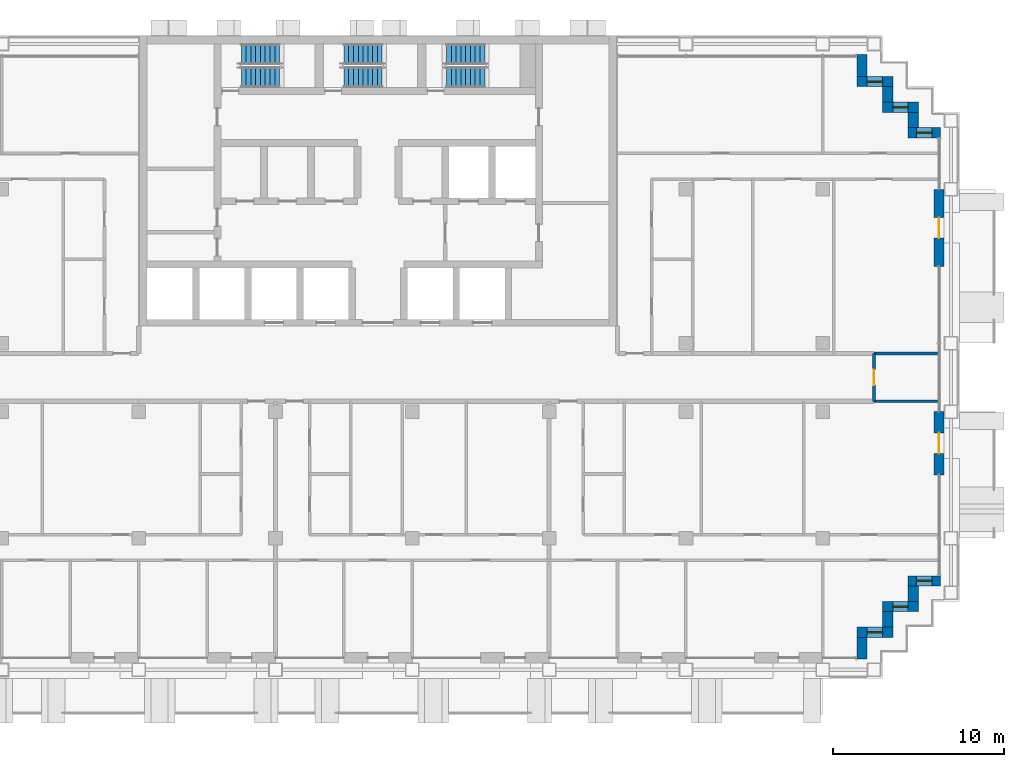
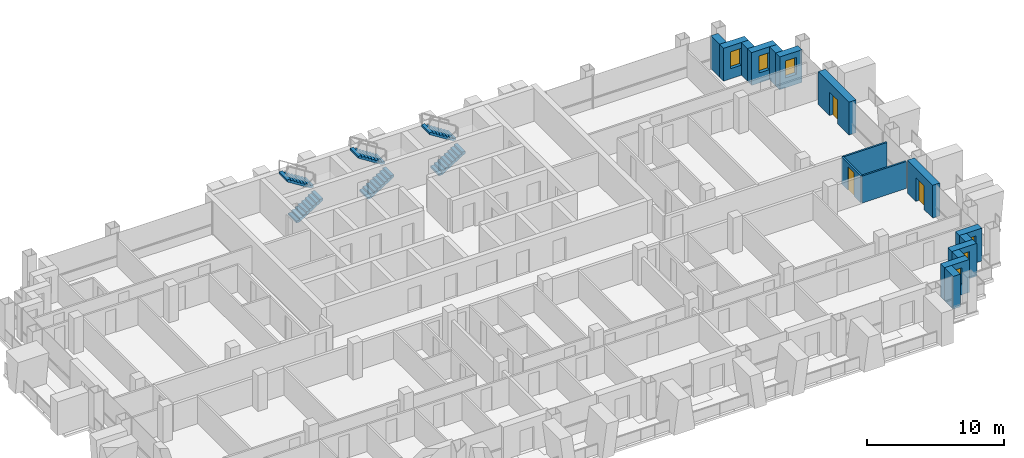
# One storey, part 12 of 16: 17 walls, 6 stair flights, 6 windows, 3 doors, 9 openings, 3 elements without a shape of their own.
"""IFC4 building model written with IfcOpenShell, lengths in metres."""

from ifc_helpers import new_model, si_unit, direction, frame, frame_2d, origin, place, context, subcontext, project, spatial, polyline, rectangle, outline, extrude, material, layer, layer_set, type_object, element, fill, aggregate, save


model = new_model("IFC4")

# Units and contexts
model_context = context("Model", 3, precision=1e-05, world=origin(), true_north=direction((0.0, 1.0)))
body_context = subcontext(model_context, "Body", "Model", "MODEL_VIEW")
ifc_project = project(units=[si_unit("LENGTHUNIT", "METRE"), si_unit("AREAUNIT", "SQUARE_METRE"), si_unit("VOLUMEUNIT", "CUBIC_METRE"), si_unit("PLANEANGLEUNIT", "RADIAN"), si_unit("MASSUNIT", "GRAM", prefix="KILO")], contexts=[model_context])

# Site, building, storey
site_placement = place(None, origin())
site = spatial("IfcSite", under=ifc_project, at=site_placement, CompositionType="ELEMENT")
building_placement = place(site_placement, origin())
building = spatial("IfcBuilding", under=site, at=building_placement, Name="Vidyagriha Tower", CompositionType="ELEMENT")
storey_placement = place(building_placement, frame((0.0, 0.0, 132.60009765625)))
storey = spatial("IfcBuildingStorey", under=building, at=storey_placement, Name="L34", CompositionType="ELEMENT", Elevation=132.60009765625)

# Wall, opening, window
ifc_material_1 = material(Name="Precast concrete C40/50 with brick facing", Category="concrete")
ifc_layer_1 = layer(ifc_material_1, 0.60009765625)
ifc_layer_set_1 = layer_set([ifc_layer_1], Name="Precast concrete C40/50 with brick facing")
wall_type_1 = type_object("IfcWallType", Name="Brick-faced precast wall 600", PredefinedType="STANDARD", material=ifc_layer_set_1)
wall_1_placement = place(storey_placement, frame((32.8798828125, 14.300048828125, 0.0), z_axis=(0.0, 0.0, 1.0), x_axis=(-1.0, 0.0, 0.0)))
wall_1 = element("IfcWall", 1, at=wall_1_placement, inside=storey, type_object=wall_type_1, Name="Stepped corner wall L34 R01", PredefinedType="STANDARD", context=body_context, shape_type="SweptSolid", body=[
    extrude(rectangle(XDim=1.8798828125, YDim=0.60009765625, at=frame_2d((0.93994140625, 0.0))), origin(), (0.0, 0.0, 1.0), 2.919921875),
])
opening_1_placement = place(wall_1_placement, frame((0.489990234375, 0.0, 0.89990234375)))
opening_1 = element("IfcOpeningElement", 2, at=opening_1_placement, cuts=wall_1, Name="Opening WN1", PredefinedType="OPENING", context=body_context, shape_type="SweptSolid", body=[
    extrude(rectangle(XDim=0.89990234375, YDim=1.5, at=frame_2d((0.449951171875, 0.75))), frame((0.0, 0.31005859375, 0.0), z_axis=(0.0, -1.0, 0.0), x_axis=(1.0, 0.0, 0.0)), (0.0, 0.0, 1.0), 0.6201171875),
])
ifc_material_2 = material(Name="Aluminium and glass window", Category="aluminium")
window_type = type_object("IfcWindowType", Name="Reveal window 900x1500", PartitioningType="NOTDEFINED", PredefinedType="WINDOW", material=ifc_material_2)
window_1_placement = place(opening_1_placement, origin())
window_1 = element("IfcWindow", 3, at=window_1_placement, inside=storey, type_object=window_type, Name="Reveal window L34 R01", OverallHeight=1.5, OverallWidth=0.89990234375, PartitioningType="SINGLE_PANEL", PredefinedType="WINDOW", context=body_context, shape_type="SweptSolid", body=[
    extrude(rectangle(XDim=0.89990234375, YDim=1.5, at=frame_2d((0.449951171875, 0.75))), frame((0.0, 0.030029296875, 0.0), z_axis=(0.0, -1.0, 0.0), x_axis=(1.0, 0.0, 0.0)), (0.0, 0.0, 1.0), 0.06005859375),
])
fill(opening_1, window_1)

# Wall
wall_2_placement = place(storey_placement, frame((31.300048828125, 14.60009765625, 0.0), z_axis=(0.0, 0.0, 1.0), x_axis=(0.0, 1.0, 0.0)))
element("IfcWall", 4, at=wall_2_placement, inside=storey, type_object=wall_type_1, Name="Stepped corner wall L34 R02", PredefinedType="STANDARD", context=body_context, shape_type="SweptSolid", body=[
    extrude(rectangle(XDim=0.89990234375, YDim=0.60009765625, at=frame_2d((0.449951171875, 0.0))), origin(), (0.0, 0.0, 1.0), 2.919921875),
])

# Wall, opening, window
wall_3_placement = place(storey_placement, frame((31.60009765625, 15.800048828125, 0.0), z_axis=(0.0, 0.0, 1.0), x_axis=(-1.0, 0.0, 0.0)))
wall_3 = element("IfcWall", 5, at=wall_3_placement, inside=storey, type_object=wall_type_1, Name="Stepped corner wall L34 R03", PredefinedType="STANDARD", context=body_context, shape_type="SweptSolid", body=[
    extrude(rectangle(XDim=2.10009765625, YDim=0.60009765625, at=frame_2d((1.050048828125, 0.0))), origin(), (0.0, 0.0, 1.0), 2.919921875),
])
opening_2_placement = place(wall_3_placement, frame((0.60009765625, 0.0, 0.89990234375)))
opening_2 = element("IfcOpeningElement", 6, at=opening_2_placement, cuts=wall_3, Name="Opening WN1", PredefinedType="OPENING", context=body_context, shape_type="SweptSolid", body=[
    extrude(rectangle(XDim=0.89990234375, YDim=1.5, at=frame_2d((0.449951171875, 0.75))), frame((0.0, 0.31005859375, 0.0), z_axis=(0.0, -1.0, 0.0), x_axis=(1.0, 0.0, 0.0)), (0.0, 0.0, 1.0), 0.6201171875),
])
window_2_placement = place(opening_2_placement, origin())
window_2 = element("IfcWindow", 7, at=window_2_placement, inside=storey, type_object=window_type, Name="Reveal window L34 R03", OverallHeight=1.5, OverallWidth=0.89990234375, PartitioningType="SINGLE_PANEL", PredefinedType="WINDOW", context=body_context, shape_type="SweptSolid", body=[
    extrude(rectangle(XDim=0.89990234375, YDim=1.5, at=frame_2d((0.449951171875, 0.75))), frame((0.0, 0.030029296875, 0.0), z_axis=(0.0, -1.0, 0.0), x_axis=(1.0, 0.0, 0.0)), (0.0, 0.0, 1.0), 0.06005859375),
])
fill(opening_2, window_2)

# Wall
wall_4_placement = place(storey_placement, frame((29.800048828125, 16.10009765625, 0.0), z_axis=(0.0, 0.0, 1.0), x_axis=(0.0, 1.0, 0.0)))
element("IfcWall", 8, at=wall_4_placement, inside=storey, type_object=wall_type_1, Name="Stepped corner wall L34 R04", PredefinedType="STANDARD", context=body_context, shape_type="SweptSolid", body=[
    extrude(rectangle(XDim=0.89990234375, YDim=0.60009765625, at=frame_2d((0.449951171875, 0.0))), origin(), (0.0, 0.0, 1.0), 2.919921875),
])

# Wall, opening, window
wall_5_placement = place(storey_placement, frame((30.10009765625, 17.300048828125, 0.0), z_axis=(0.0, 0.0, 1.0), x_axis=(-1.0, 0.0, 0.0)))
wall_5 = element("IfcWall", 9, at=wall_5_placement, inside=storey, type_object=wall_type_1, Name="Stepped corner wall L34 R05", PredefinedType="STANDARD", context=body_context, shape_type="SweptSolid", body=[
    extrude(rectangle(XDim=2.10009765625, YDim=0.60009765625, at=frame_2d((1.050048828125, 0.0))), origin(), (0.0, 0.0, 1.0), 2.919921875),
])
opening_3_placement = place(wall_5_placement, frame((0.60009765625, 0.0, 0.89990234375)))
opening_3 = element("IfcOpeningElement", 10, at=opening_3_placement, cuts=wall_5, Name="Opening WN1", PredefinedType="OPENING", context=body_context, shape_type="SweptSolid", body=[
    extrude(rectangle(XDim=0.89990234375, YDim=1.5, at=frame_2d((0.449951171875, 0.75))), frame((0.0, 0.31005859375, 0.0), z_axis=(0.0, -1.0, 0.0), x_axis=(1.0, 0.0, 0.0)), (0.0, 0.0, 1.0), 0.6201171875),
])
window_3_placement = place(opening_3_placement, origin())
window_3 = element("IfcWindow", 11, at=window_3_placement, inside=storey, type_object=window_type, Name="Reveal window L34 R05", OverallHeight=1.5, OverallWidth=0.89990234375, PartitioningType="SINGLE_PANEL", PredefinedType="WINDOW", context=body_context, shape_type="SweptSolid", body=[
    extrude(rectangle(XDim=0.89990234375, YDim=1.5, at=frame_2d((0.449951171875, 0.75))), frame((0.0, 0.030029296875, 0.0), z_axis=(0.0, -1.0, 0.0), x_axis=(1.0, 0.0, 0.0)), (0.0, 0.0, 1.0), 0.06005859375),
])
fill(opening_3, window_3)

# Walls
wall_6_placement = place(storey_placement, frame((28.300048828125, 17.60009765625, 0.0), z_axis=(0.0, 0.0, 1.0), x_axis=(0.0, 1.0, 0.0)))
element("IfcWall", 12, at=wall_6_placement, inside=storey, type_object=wall_type_1, Name="Stepped corner wall L34 R06", PredefinedType="STANDARD", context=body_context, shape_type="SweptSolid", body=[
    extrude(rectangle(XDim=1.27978515625, YDim=0.60009765625, at=frame_2d((0.639892578125, 0.0))), origin(), (0.0, 0.0, 1.0), 2.919921875),
])
wall_7_placement = place(storey_placement, frame((28.300048828125, -16.47998046875, 0.0), z_axis=(0.0, 0.0, 1.0), x_axis=(0.0, 1.0, 0.0)))
element("IfcWall", 13, at=wall_7_placement, inside=storey, type_object=wall_type_1, Name="Stepped corner wall L34 R24", PredefinedType="STANDARD", context=body_context, shape_type="SweptSolid", body=[
    extrude(rectangle(XDim=1.280029296875, YDim=0.60009765625, at=frame_2d((0.64013671875, 0.0))), origin(), (0.0, 0.0, 1.0), 2.919921875),
])

# Wall, opening, window
wall_8_placement = place(storey_placement, frame((28.0, -14.89990234375, 0.0)))
wall_8 = element("IfcWall", 14, at=wall_8_placement, inside=storey, type_object=wall_type_1, Name="Stepped corner wall L34 R25", PredefinedType="STANDARD", context=body_context, shape_type="SweptSolid", body=[
    extrude(rectangle(XDim=2.10009765625, YDim=0.60009765625, at=frame_2d((1.050048828125, 0.0))), origin(), (0.0, 0.0, 1.0), 2.919921875),
])
opening_4_placement = place(wall_8_placement, frame((0.60009765625, 0.0, 0.89990234375)))
opening_4 = element("IfcOpeningElement", 15, at=opening_4_placement, cuts=wall_8, Name="Opening WN1", PredefinedType="OPENING", context=body_context, shape_type="SweptSolid", body=[
    extrude(rectangle(XDim=0.89990234375, YDim=1.5, at=frame_2d((0.449951171875, 0.75))), frame((0.0, 0.31005859375, 0.0), z_axis=(0.0, -1.0, 0.0), x_axis=(1.0, 0.0, 0.0)), (0.0, 0.0, 1.0), 0.6201171875),
])
window_4_placement = place(opening_4_placement, origin())
window_4 = element("IfcWindow", 16, at=window_4_placement, inside=storey, type_object=window_type, Name="Reveal window L34 R25", OverallHeight=1.5, OverallWidth=0.89990234375, PartitioningType="SINGLE_PANEL", PredefinedType="WINDOW", context=body_context, shape_type="SweptSolid", body=[
    extrude(rectangle(XDim=0.89990234375, YDim=1.5, at=frame_2d((0.449951171875, 0.75))), frame((0.0, 0.030029296875, 0.0), z_axis=(0.0, -1.0, 0.0), x_axis=(1.0, 0.0, 0.0)), (0.0, 0.0, 1.0), 0.06005859375),
])
fill(opening_4, window_4)

# Wall
wall_9_placement = place(storey_placement, frame((29.800048828125, -14.60009765625, 0.0), z_axis=(0.0, 0.0, 1.0), x_axis=(0.0, 1.0, 0.0)))
element("IfcWall", 17, at=wall_9_placement, inside=storey, type_object=wall_type_1, Name="Stepped corner wall L34 R26", PredefinedType="STANDARD", context=body_context, shape_type="SweptSolid", body=[
    extrude(rectangle(XDim=0.900146484375, YDim=0.60009765625, at=frame_2d((0.4501953125, 0.0))), origin(), (0.0, 0.0, 1.0), 2.919921875),
])

# Wall, opening, window
wall_10_placement = place(storey_placement, frame((29.5, -13.39990234375, 0.0)))
wall_10 = element("IfcWall", 18, at=wall_10_placement, inside=storey, type_object=wall_type_1, Name="Stepped corner wall L34 R27", PredefinedType="STANDARD", context=body_context, shape_type="SweptSolid", body=[
    extrude(rectangle(XDim=2.10009765625, YDim=0.60009765625, at=frame_2d((1.050048828125, 0.0))), origin(), (0.0, 0.0, 1.0), 2.919921875),
])
opening_5_placement = place(wall_10_placement, frame((0.60009765625, 0.0, 0.89990234375)))
opening_5 = element("IfcOpeningElement", 19, at=opening_5_placement, cuts=wall_10, Name="Opening WN1", PredefinedType="OPENING", context=body_context, shape_type="SweptSolid", body=[
    extrude(rectangle(XDim=0.89990234375, YDim=1.5, at=frame_2d((0.449951171875, 0.75))), frame((0.0, 0.31005859375, 0.0), z_axis=(0.0, -1.0, 0.0), x_axis=(1.0, 0.0, 0.0)), (0.0, 0.0, 1.0), 0.6201171875),
])
window_5_placement = place(opening_5_placement, origin())
window_5 = element("IfcWindow", 20, at=window_5_placement, inside=storey, type_object=window_type, Name="Reveal window L34 R27", OverallHeight=1.5, OverallWidth=0.89990234375, PartitioningType="SINGLE_PANEL", PredefinedType="WINDOW", context=body_context, shape_type="SweptSolid", body=[
    extrude(rectangle(XDim=0.89990234375, YDim=1.5, at=frame_2d((0.449951171875, 0.75))), frame((0.0, 0.030029296875, 0.0), z_axis=(0.0, -1.0, 0.0), x_axis=(1.0, 0.0, 0.0)), (0.0, 0.0, 1.0), 0.06005859375),
])
fill(opening_5, window_5)

# Wall
wall_11_placement = place(storey_placement, frame((31.300048828125, -13.10009765625, 0.0), z_axis=(0.0, 0.0, 1.0), x_axis=(0.0, 1.0, 0.0)))
element("IfcWall", 21, at=wall_11_placement, inside=storey, type_object=wall_type_1, Name="Stepped corner wall L34 R28", PredefinedType="STANDARD", context=body_context, shape_type="SweptSolid", body=[
    extrude(rectangle(XDim=0.900146484375, YDim=0.60009765625, at=frame_2d((0.4501953125, 0.0))), origin(), (0.0, 0.0, 1.0), 2.919921875),
])

# Wall, opening, window
wall_12_placement = place(storey_placement, frame((31.0, -11.89990234375, 0.0)))
wall_12 = element("IfcWall", 22, at=wall_12_placement, inside=storey, type_object=wall_type_1, Name="Stepped corner wall L34 R29", PredefinedType="STANDARD", context=body_context, shape_type="SweptSolid", body=[
    extrude(rectangle(XDim=1.8798828125, YDim=0.60009765625, at=frame_2d((0.93994140625, 0.0))), origin(), (0.0, 0.0, 1.0), 2.919921875),
])
opening_6_placement = place(wall_12_placement, frame((0.489990234375, 0.0, 0.89990234375)))
opening_6 = element("IfcOpeningElement", 23, at=opening_6_placement, cuts=wall_12, Name="Opening WN1", PredefinedType="OPENING", context=body_context, shape_type="SweptSolid", body=[
    extrude(rectangle(XDim=0.89990234375, YDim=1.5, at=frame_2d((0.449951171875, 0.75))), frame((0.0, 0.31005859375, 0.0), z_axis=(0.0, -1.0, 0.0), x_axis=(1.0, 0.0, 0.0)), (0.0, 0.0, 1.0), 0.6201171875),
])
window_6_placement = place(opening_6_placement, origin())
window_6 = element("IfcWindow", 24, at=window_6_placement, inside=storey, type_object=window_type, Name="Reveal window L34 R29", OverallHeight=1.5, OverallWidth=0.89990234375, PartitioningType="SINGLE_PANEL", PredefinedType="WINDOW", context=body_context, shape_type="SweptSolid", body=[
    extrude(rectangle(XDim=0.89990234375, YDim=1.5, at=frame_2d((0.449951171875, 0.75))), frame((0.0, 0.030029296875, 0.0), z_axis=(0.0, -1.0, 0.0), x_axis=(1.0, 0.0, 0.0)), (0.0, 0.0, 1.0), 0.06005859375),
])
fill(opening_6, window_6)

# Wall, opening, door
wall_13_placement = place(storey_placement, frame((32.800048828125, -5.699951171875, 0.0), z_axis=(0.0, 0.0, 1.0), x_axis=(0.0, 1.0, 0.0)))
wall_13 = element("IfcWall", 25, at=wall_13_placement, inside=storey, type_object=wall_type_1, Name="Brick door bay wall L34 R30.3", PredefinedType="STANDARD", context=body_context, shape_type="SweptSolid", body=[
    extrude(rectangle(XDim=3.699951171875, YDim=0.60009765625, at=frame_2d((1.85009765625, 0.0))), origin(), (0.0, 0.0, 1.0), 2.919921875),
])
opening_7_placement = place(wall_13_placement, frame((1.25, 0.0, 0.0)))
opening_7 = element("IfcOpeningElement", 26, at=opening_7_placement, cuts=wall_13, Name="Opening D34-74", PredefinedType="OPENING", context=body_context, shape_type="SweptSolid", body=[
    extrude(rectangle(XDim=1.199951171875, YDim=2.10009765625, at=frame_2d((0.60009765625, 1.050048828125))), frame((0.0, 0.31005859375, 0.0), z_axis=(0.0, -1.0, 0.0), x_axis=(1.0, 0.0, 0.0)), (0.0, 0.0, 1.0), 0.6201171875),
])
ifc_material_3 = material(Name="Aluminium framed glazed sliding door", Category="aluminium")
door_type_1 = type_object("IfcDoorType", Name="Balcony sliding door 1200x2100", OperationType="NOTDEFINED", PredefinedType="DOOR", material=ifc_material_3)
door_1_placement = place(opening_7_placement, origin())
door_1 = element("IfcDoor", 27, at=door_1_placement, inside=storey, type_object=door_type_1, Name="Door D34-74", OperationType="SLIDING_TO_LEFT", OverallHeight=2.10009765625, OverallWidth=1.199951171875, PredefinedType="DOOR", context=body_context, shape_type="SweptSolid", body=[
    extrude(rectangle(XDim=1.199951171875, YDim=2.10009765625, at=frame_2d((0.60009765625, 1.050048828125))), frame((0.0, 0.02490234375, 0.0), z_axis=(0.0, -1.0, 0.0), x_axis=(1.0, 0.0, 0.0)), (0.0, 0.0, 1.0), 0.050048828125),
])
fill(opening_7, door_1)

wall_14_placement = place(storey_placement, frame((32.800048828125, 6.5, 0.0), z_axis=(0.0, 0.0, 1.0), x_axis=(0.0, 1.0, 0.0)))
wall_14 = element("IfcWall", 28, at=wall_14_placement, inside=storey, type_object=wall_type_1, Name="Brick door bay wall L34 R30.6", PredefinedType="STANDARD", context=body_context, shape_type="SweptSolid", body=[
    extrude(rectangle(XDim=4.5, YDim=0.60009765625, at=frame_2d((2.25, 0.0))), origin(), (0.0, 0.0, 1.0), 2.919921875),
])
opening_8_placement = place(wall_14_placement, frame((1.64990234375, 0.0, 0.0)))
opening_8 = element("IfcOpeningElement", 29, at=opening_8_placement, cuts=wall_14, Name="Opening D34-75", PredefinedType="OPENING", context=body_context, shape_type="SweptSolid", body=[
    extrude(rectangle(XDim=1.199951171875, YDim=2.10009765625, at=frame_2d((0.60009765625, 1.050048828125))), frame((0.0, 0.31005859375, 0.0), z_axis=(0.0, -1.0, 0.0), x_axis=(1.0, 0.0, 0.0)), (0.0, 0.0, 1.0), 0.6201171875),
])
door_2_placement = place(opening_8_placement, origin())
door_2 = element("IfcDoor", 30, at=door_2_placement, inside=storey, type_object=door_type_1, Name="Door D34-75", OperationType="SLIDING_TO_LEFT", OverallHeight=2.10009765625, OverallWidth=1.199951171875, PredefinedType="DOOR", context=body_context, shape_type="SweptSolid", body=[
    extrude(rectangle(XDim=1.199951171875, YDim=2.10009765625, at=frame_2d((0.60009765625, 1.050048828125))), frame((0.0, 0.02490234375, 0.0), z_axis=(0.0, -1.0, 0.0), x_axis=(1.0, 0.0, 0.0)), (0.0, 0.0, 1.0), 0.050048828125),
])
fill(opening_8, door_2)

# Walls
ifc_material_4 = material(Name="Gypsum board partition")
ifc_layer_2 = layer(ifc_material_4, 0.14990234375)
ifc_layer_set_2 = layer_set([ifc_layer_2], Name="Gypsum board partition")
wall_type_2 = type_object("IfcWallType", Name="Gypsum board partition 150", PredefinedType="PARTITIONING", material=ifc_layer_set_2)
wall_15_placement = place(storey_placement, frame((32.719970703125, -1.39990234375, 0.0), z_axis=(0.0, 0.0, 1.0), x_axis=(-1.0, 0.0, 0.0)))
element("IfcWall", 31, at=wall_15_placement, inside=storey, type_object=wall_type_2, Name="Wall all-L34-w066", PredefinedType="PARTITIONING", context=body_context, shape_type="SweptSolid", body=[
    extrude(rectangle(XDim=3.719970703125, YDim=0.14990234375, at=frame_2d((1.85986328125, 0.0))), origin(), (0.0, 0.0, 1.0), 2.39990234375),
])
wall_16_placement = place(storey_placement, frame((29.0, 1.39990234375, 0.0)))
element("IfcWall", 32, at=wall_16_placement, inside=storey, type_object=wall_type_2, Name="Wall all-L34-w107", PredefinedType="PARTITIONING", context=body_context, shape_type="SweptSolid", body=[
    extrude(rectangle(XDim=3.719970703125, YDim=0.14990234375, at=frame_2d((1.85986328125, 0.0))), origin(), (0.0, 0.0, 1.0), 2.39990234375),
])

# Wall, opening, door
wall_17_placement = place(storey_placement, frame((29.0, -1.39990234375, 0.0), z_axis=(0.0, 0.0, 1.0), x_axis=(0.0, 1.0, 0.0)))
wall_17 = element("IfcWall", 33, at=wall_17_placement, inside=storey, type_object=wall_type_2, Name="Wall all-L34-w110", PredefinedType="PARTITIONING", context=body_context, shape_type="SweptSolid", body=[
    extrude(rectangle(XDim=2.7998046875, YDim=0.14990234375, at=frame_2d((1.39990234375, 0.0))), origin(), (0.0, 0.0, 1.0), 2.39990234375),
])
opening_9_placement = place(wall_17_placement, frame((0.949951171875, 0.0, 0.0)))
opening_9 = element("IfcOpeningElement", 34, at=opening_9_placement, cuts=wall_17, Name="Opening D34-64", PredefinedType="OPENING", context=body_context, shape_type="SweptSolid", body=[
    extrude(rectangle(XDim=0.89990234375, YDim=2.10009765625, at=frame_2d((0.449951171875, 1.050048828125))), frame((0.0, 0.0849609375, 0.0), z_axis=(0.0, -1.0, 0.0), x_axis=(1.0, 0.0, 0.0)), (0.0, 0.0, 1.0), 0.169921875),
])
ifc_material_5 = material(Name="Timber door leaf", Category="wood")
door_type_2 = type_object("IfcDoorType", Name="Room door 900x2100", OperationType="NOTDEFINED", PredefinedType="DOOR", material=ifc_material_5)
door_3_placement = place(opening_9_placement, origin())
door_3 = element("IfcDoor", 35, at=door_3_placement, inside=storey, type_object=door_type_2, Name="Door D34-64", OperationType="SINGLE_SWING_RIGHT", OverallHeight=2.10009765625, OverallWidth=0.89990234375, PredefinedType="DOOR", context=body_context, shape_type="SweptSolid", body=[
    extrude(rectangle(XDim=0.89990234375, YDim=2.10009765625, at=frame_2d((0.449951171875, 1.050048828125))), frame((0.0, 0.02490234375, 0.0), z_axis=(0.0, -1.0, 0.0), x_axis=(1.0, 0.0, 0.0)), (0.0, 0.0, 1.0), 0.050048828125),
])
fill(opening_9, door_3)

# Stair, stair flights
ifc_material_6 = material(Name="Concrete C40/50", Category="concrete")
stair_type = type_object("IfcStairType", Name="Exit stair, half-turn, precast flights", PredefinedType="HALF_TURN_STAIR", material=ifc_material_6)
stair_1_placement = place(storey_placement, origin())
stair_1 = element("IfcStair", 36, at=stair_1_placement, inside=storey, type_object=stair_type, Name="L34 Exit Stair ST1", PredefinedType="HALF_TURN_STAIR")
ifc_material_7 = material(Name="Precast concrete C40/50", Category="concrete")
stair_flight_type = type_object("IfcStairFlightType", Name="Exit stair flight 1200 mm, precast", PredefinedType="STRAIGHT", material=ifc_material_7)
stair_flight_1_placement = place(storey_placement, frame((-8.0, 17.550048828125, 0.0)))
stair_flight_1 = element("IfcStairFlight", 37, at=stair_flight_1_placement, type_object=stair_flight_type, Name="ST1 flight 1", NumberOfRisers=9, NumberOfTreads=8, PredefinedType="STRAIGHT", RiserHeight=0.177777778, TreadLength=0.28, context=body_context, shape_type="SweptSolid", body=[
    extrude(outline(polyline([(0.0, 0.0), (0.0, 0.177734375), (0.280029296875, 0.177734375), (0.280029296875, 0.35546875), (0.56005859375, 0.35546875), (0.56005859375, 0.533447265625), (0.840087890625, 0.533447265625), (0.840087890625, 0.711181640625), (1.1201171875, 0.711181640625), (1.1201171875, 0.888916015625), (1.39990234375, 0.888916015625), (1.39990234375, 1.066650390625), (1.679931640625, 1.066650390625), (1.679931640625, 1.244384765625), (1.9599609375, 1.244384765625), (1.9599609375, 1.422119140625), (2.239990234375, 1.422119140625), (2.239990234375, 1.60009765625), (2.239990234375, 1.24462890625), (0.27978515625, 0.0), (0.0, 0.0)])), frame((0.0, 0.60009765625, 0.0), z_axis=(0.0, -1.0, 0.0), x_axis=(1.0, 0.0, 0.0)), (0.0, 0.0, 1.0), 1.199951171875),
])
stair_flight_2_placement = place(storey_placement, frame((-5.760009765625, 18.89990234375, 1.599853515625), z_axis=(0.0, 0.0, 1.0), x_axis=(-1.0, 0.0, 0.0)))
stair_flight_2 = element("IfcStairFlight", 38, at=stair_flight_2_placement, type_object=stair_flight_type, Name="ST1 flight 2", NumberOfRisers=9, NumberOfTreads=8, PredefinedType="STRAIGHT", RiserHeight=0.177777778, TreadLength=0.28, context=body_context, shape_type="SweptSolid", body=[
    extrude(outline(polyline([(0.0, 0.0), (0.0, 0.177734375), (0.280029296875, 0.177734375), (0.280029296875, 0.35546875), (0.56005859375, 0.35546875), (0.56005859375, 0.533447265625), (0.840087890625, 0.533447265625), (0.840087890625, 0.711181640625), (1.1201171875, 0.711181640625), (1.1201171875, 0.888916015625), (1.39990234375, 0.888916015625), (1.39990234375, 1.066650390625), (1.679931640625, 1.066650390625), (1.679931640625, 1.244384765625), (1.9599609375, 1.244384765625), (1.9599609375, 1.422119140625), (2.239990234375, 1.422119140625), (2.239990234375, 1.60009765625), (2.239990234375, 1.24462890625), (0.27978515625, 0.0), (0.0, 0.0)])), frame((0.0, 0.60009765625, 0.0), z_axis=(0.0, -1.0, 0.0), x_axis=(1.0, 0.0, 0.0)), (0.0, 0.0, 1.0), 1.199951171875),
])
aggregate(stair_1, [stair_flight_1, stair_flight_2])

stair_2_placement = place(storey_placement, origin())
stair_2 = element("IfcStair", 39, at=stair_2_placement, inside=storey, type_object=stair_type, Name="L34 Exit Stair ST2", PredefinedType="HALF_TURN_STAIR")
stair_flight_3_placement = place(storey_placement, frame((-2.0, 17.550048828125, 0.0)))
stair_flight_3 = element("IfcStairFlight", 40, at=stair_flight_3_placement, type_object=stair_flight_type, Name="ST2 flight 1", NumberOfRisers=9, NumberOfTreads=8, PredefinedType="STRAIGHT", RiserHeight=0.177777778, TreadLength=0.28, context=body_context, shape_type="SweptSolid", body=[
    extrude(outline(polyline([(0.0, 0.0), (0.0, 0.177734375), (0.280029296875, 0.177734375), (0.280029296875, 0.35546875), (0.56005859375, 0.35546875), (0.56005859375, 0.533447265625), (0.840087890625, 0.533447265625), (0.840087890625, 0.711181640625), (1.1201171875, 0.711181640625), (1.1201171875, 0.888916015625), (1.39990234375, 0.888916015625), (1.39990234375, 1.066650390625), (1.679931640625, 1.066650390625), (1.679931640625, 1.244384765625), (1.9599609375, 1.244384765625), (1.9599609375, 1.422119140625), (2.239990234375, 1.422119140625), (2.239990234375, 1.60009765625), (2.239990234375, 1.24462890625), (0.27978515625, 0.0), (0.0, 0.0)])), frame((0.0, 0.60009765625, 0.0), z_axis=(0.0, -1.0, 0.0), x_axis=(1.0, 0.0, 0.0)), (0.0, 0.0, 1.0), 1.199951171875),
])
stair_flight_4_placement = place(storey_placement, frame((0.239990234375, 18.89990234375, 1.599853515625), z_axis=(0.0, 0.0, 1.0), x_axis=(-1.0, 0.0, 0.0)))
stair_flight_4 = element("IfcStairFlight", 41, at=stair_flight_4_placement, type_object=stair_flight_type, Name="ST2 flight 2", NumberOfRisers=9, NumberOfTreads=8, PredefinedType="STRAIGHT", RiserHeight=0.177777778, TreadLength=0.28, context=body_context, shape_type="SweptSolid", body=[
    extrude(outline(polyline([(0.0, 0.0), (0.0, 0.177734375), (0.280029296875, 0.177734375), (0.280029296875, 0.35546875), (0.56005859375, 0.35546875), (0.56005859375, 0.533447265625), (0.840087890625, 0.533447265625), (0.840087890625, 0.711181640625), (1.1201171875, 0.711181640625), (1.1201171875, 0.888916015625), (1.39990234375, 0.888916015625), (1.39990234375, 1.066650390625), (1.679931640625, 1.066650390625), (1.679931640625, 1.244384765625), (1.9599609375, 1.244384765625), (1.9599609375, 1.422119140625), (2.239990234375, 1.422119140625), (2.239990234375, 1.60009765625), (2.239990234375, 1.24462890625), (0.27978515625, 0.0), (0.0, 0.0)])), frame((0.0, 0.60009765625, 0.0), z_axis=(0.0, -1.0, 0.0), x_axis=(1.0, 0.0, 0.0)), (0.0, 0.0, 1.0), 1.199951171875),
])
aggregate(stair_2, [stair_flight_3, stair_flight_4])

stair_3_placement = place(storey_placement, origin())
stair_3 = element("IfcStair", 42, at=stair_3_placement, inside=storey, type_object=stair_type, Name="L34 Exit Stair ST3", PredefinedType="HALF_TURN_STAIR")
stair_flight_5_placement = place(storey_placement, frame((4.0, 17.550048828125, 0.0)))
stair_flight_5 = element("IfcStairFlight", 43, at=stair_flight_5_placement, type_object=stair_flight_type, Name="ST3 flight 1", NumberOfRisers=9, NumberOfTreads=8, PredefinedType="STRAIGHT", RiserHeight=0.177777778, TreadLength=0.28, context=body_context, shape_type="SweptSolid", body=[
    extrude(outline(polyline([(0.0, 0.0), (0.0, 0.177734375), (0.280029296875, 0.177734375), (0.280029296875, 0.35546875), (0.56005859375, 0.35546875), (0.56005859375, 0.533447265625), (0.840087890625, 0.533447265625), (0.840087890625, 0.711181640625), (1.1201171875, 0.711181640625), (1.1201171875, 0.888916015625), (1.39990234375, 0.888916015625), (1.39990234375, 1.066650390625), (1.679931640625, 1.066650390625), (1.679931640625, 1.244384765625), (1.9599609375, 1.244384765625), (1.9599609375, 1.422119140625), (2.239990234375, 1.422119140625), (2.239990234375, 1.60009765625), (2.239990234375, 1.24462890625), (0.27978515625, 0.0), (0.0, 0.0)])), frame((0.0, 0.60009765625, 0.0), z_axis=(0.0, -1.0, 0.0), x_axis=(1.0, 0.0, 0.0)), (0.0, 0.0, 1.0), 1.199951171875),
])
stair_flight_6_placement = place(storey_placement, frame((6.239990234375, 18.89990234375, 1.599853515625), z_axis=(0.0, 0.0, 1.0), x_axis=(-1.0, 0.0, 0.0)))
stair_flight_6 = element("IfcStairFlight", 44, at=stair_flight_6_placement, type_object=stair_flight_type, Name="ST3 flight 2", NumberOfRisers=9, NumberOfTreads=8, PredefinedType="STRAIGHT", RiserHeight=0.177777778, TreadLength=0.28, context=body_context, shape_type="SweptSolid", body=[
    extrude(outline(polyline([(0.0, 0.0), (0.0, 0.177734375), (0.280029296875, 0.177734375), (0.280029296875, 0.35546875), (0.56005859375, 0.35546875), (0.56005859375, 0.533447265625), (0.840087890625, 0.533447265625), (0.840087890625, 0.711181640625), (1.1201171875, 0.711181640625), (1.1201171875, 0.888916015625), (1.39990234375, 0.888916015625), (1.39990234375, 1.066650390625), (1.679931640625, 1.066650390625), (1.679931640625, 1.244384765625), (1.9599609375, 1.244384765625), (1.9599609375, 1.422119140625), (2.239990234375, 1.422119140625), (2.239990234375, 1.60009765625), (2.239990234375, 1.24462890625), (0.27978515625, 0.0), (0.0, 0.0)])), frame((0.0, 0.60009765625, 0.0), z_axis=(0.0, -1.0, 0.0), x_axis=(1.0, 0.0, 0.0)), (0.0, 0.0, 1.0), 1.199951171875),
])
aggregate(stair_3, [stair_flight_5, stair_flight_6])

save(model, "model.ifc")
